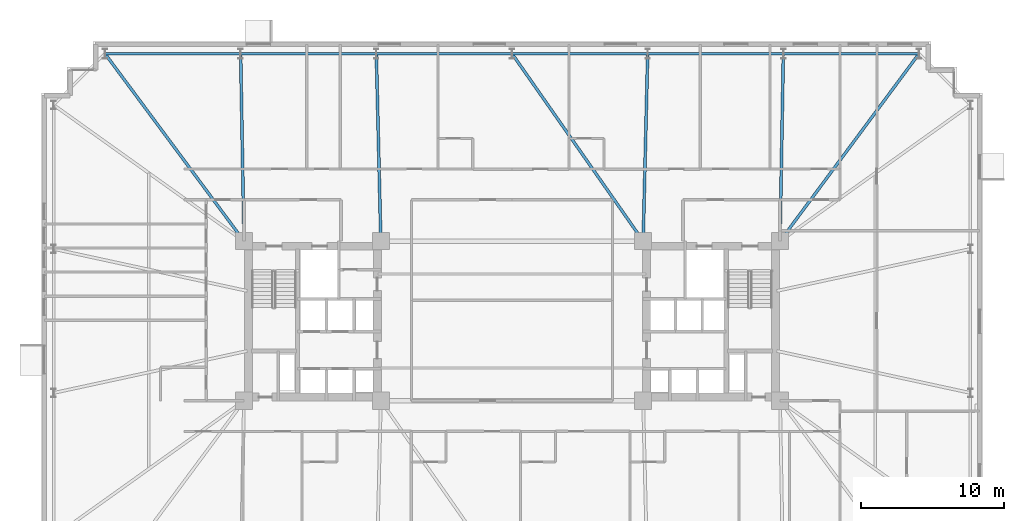
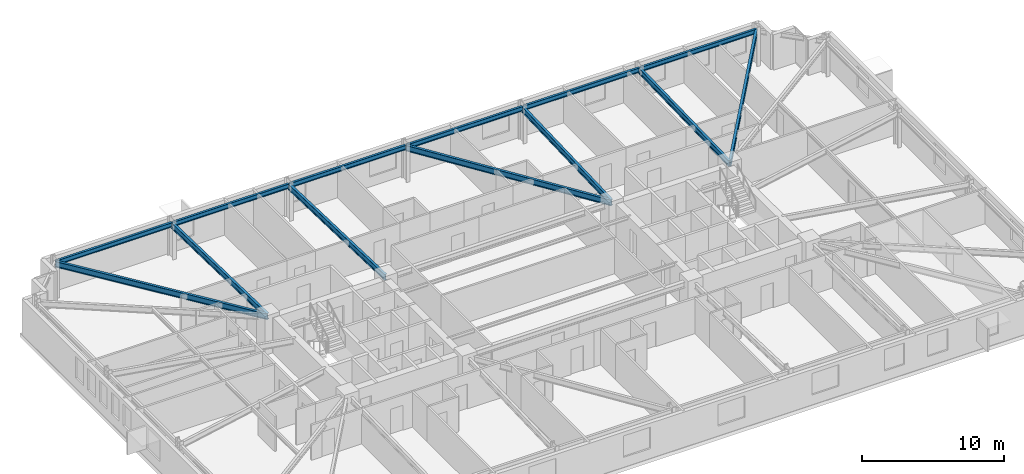
# One storey, part 9 of 21: 13 beams.
"""IFC4 building model written with IfcOpenShell, lengths in metres."""

from ifc_helpers import new_model, si_unit, direction, frame, origin, origin_2d, place, context, subcontext, project, spatial, i_section, extrude, material, material_profile, profile_set, type_object, element, save


model = new_model("IFC4")

# Units and contexts
model_context = context("Model", 3, precision=1e-05, world=origin(), true_north=direction((0.0, 1.0)))
body_context = subcontext(model_context, "Body", "Model", "MODEL_VIEW")
ifc_project = project(units=[si_unit("LENGTHUNIT", "METRE"), si_unit("AREAUNIT", "SQUARE_METRE"), si_unit("VOLUMEUNIT", "CUBIC_METRE"), si_unit("PLANEANGLEUNIT", "RADIAN"), si_unit("MASSUNIT", "GRAM", prefix="KILO")], contexts=[model_context])

# Site, building, storey
site_placement = place(None, origin())
site = spatial("IfcSite", under=ifc_project, at=site_placement, CompositionType="ELEMENT")
building_placement = place(site_placement, origin())
building = spatial("IfcBuilding", under=site, at=building_placement, Name="Qobustan Lattice House", CompositionType="ELEMENT")
storey_placement = place(building_placement, frame((0.0, 0.0, 40.39990234375)))
storey = spatial("IfcBuildingStorey", under=building, at=storey_placement, Name="L10", CompositionType="ELEMENT", Elevation=40.39990234375)

# Beams
ifc_material_1 = material(Name="Steel S355", Category="steel")
ifc_material_profile_1 = material_profile(ifc_material_1, i_section(OverallWidth=0.199951171875, OverallDepth=0.5, WebThickness=0.01025390625, FlangeThickness=0.01611328125, FilletRadius=0.02099609375, at=origin_2d()), Name="IPE500")
ifc_profile_set_1 = profile_set([ifc_material_profile_1], Name="Steel S355")
beam_type_1 = type_object("IfcBeamType", Name="BM-FLG-IPE500", PredefinedType="USERDEFINED", material=ifc_profile_set_1)
beam_1_placement = place(storey_placement, frame((-28.53515625, 18.72998046875, 2.78515625), z_axis=(0.5955916815, -0.803287338956, 0.0), x_axis=(0.803287338956, 0.5955916815, 0.0)))
element("IfcBeam", 1, at=beam_1_placement, inside=storey, type_object=beam_type_1, Name="L10 primary floor girder RAD-N7W", ObjectType="GIRDER", PredefinedType="USERDEFINED", context=body_context, shape_type="SweptSolid", body=[
    extrude(i_section(OverallWidth=0.199951171875, OverallDepth=0.5, WebThickness=0.01025390625, FlangeThickness=0.01611328125, FilletRadius=0.02099609375, at=origin_2d()), origin(), (0.0, 0.0, 1.0), 16.3203125),
])
beam_2_placement = place(storey_placement, frame((-19.032958984375, 18.72509765625, 2.78515625), z_axis=(0.017757831607, -0.999842317276, 0.0), x_axis=(0.999842317276, 0.017757831607, 0.0)))
element("IfcBeam", 2, at=beam_2_placement, inside=storey, type_object=beam_type_1, Name="L10 primary floor girder RAD-N6", ObjectType="GIRDER", PredefinedType="USERDEFINED", context=body_context, shape_type="SweptSolid", body=[
    extrude(i_section(OverallWidth=0.199951171875, OverallDepth=0.5, WebThickness=0.01025390625, FlangeThickness=0.01611328125, FilletRadius=0.02099609375, at=origin_2d()), origin(), (0.0, 0.0, 1.0), 13.10205078125),
])
beam_3_placement = place(storey_placement, frame((-9.51611328125, 18.72509765625, 2.78515625), z_axis=(0.024071445657, -0.999710240772, 0.0), x_axis=(0.999710240772, 0.024071445657, 0.0)))
element("IfcBeam", 3, at=beam_3_placement, inside=storey, type_object=beam_type_1, Name="L10 primary floor girder RAD-N5", ObjectType="GIRDER", PredefinedType="USERDEFINED", context=body_context, shape_type="SweptSolid", body=[
    extrude(i_section(OverallWidth=0.199951171875, OverallDepth=0.5, WebThickness=0.01025390625, FlangeThickness=0.01611328125, FilletRadius=0.02099609375, at=origin_2d()), origin(), (0.0, 0.0, 1.0), 13.10400390625),
])
beam_4_placement = place(storey_placement, frame((0.014404296875, 18.7294921875, 2.78515625), z_axis=(0.57325954206, -0.819373844736, 0.0), x_axis=(0.819373844736, 0.57325954206, 0.0)))
element("IfcBeam", 4, at=beam_4_placement, inside=storey, type_object=beam_type_1, Name="L10 primary floor girder RAD-N4", ObjectType="GIRDER", PredefinedType="USERDEFINED", context=body_context, shape_type="SweptSolid", body=[
    extrude(i_section(OverallWidth=0.199951171875, OverallDepth=0.5, WebThickness=0.01025390625, FlangeThickness=0.01611328125, FilletRadius=0.02099609375, at=origin_2d()), origin(), (0.0, 0.0, 1.0), 15.998779296875),
])
beam_5_placement = place(storey_placement, frame((9.51611328125, 18.72509765625, 2.78515625), z_axis=(-0.024071445657, -0.999710240772, 0.0), x_axis=(0.999710240772, -0.024071445657, 0.0)))
element("IfcBeam", 5, at=beam_5_placement, inside=storey, type_object=beam_type_1, Name="L10 primary floor girder RAD-N3", ObjectType="GIRDER", PredefinedType="USERDEFINED", context=body_context, shape_type="SweptSolid", body=[
    extrude(i_section(OverallWidth=0.199951171875, OverallDepth=0.5, WebThickness=0.01025390625, FlangeThickness=0.01611328125, FilletRadius=0.02099609375, at=origin_2d()), origin(), (0.0, 0.0, 1.0), 13.10400390625),
])
beam_6_placement = place(storey_placement, frame((19.032958984375, 18.72509765625, 2.78515625), z_axis=(-0.017757831607, -0.999842317276, 0.0), x_axis=(0.999842317276, -0.017757831607, 0.0)))
element("IfcBeam", 6, at=beam_6_placement, inside=storey, type_object=beam_type_1, Name="L10 primary floor girder RAD-N2", ObjectType="GIRDER", PredefinedType="USERDEFINED", context=body_context, shape_type="SweptSolid", body=[
    extrude(i_section(OverallWidth=0.199951171875, OverallDepth=0.5, WebThickness=0.01025390625, FlangeThickness=0.01611328125, FilletRadius=0.02099609375, at=origin_2d()), origin(), (0.0, 0.0, 1.0), 13.10205078125),
])
beam_7_placement = place(storey_placement, frame((28.53515625, 18.72998046875, 2.78515625), z_axis=(-0.5955916815, -0.803287338956, 0.0), x_axis=(0.803287338956, -0.5955916815, 0.0)))
element("IfcBeam", 7, at=beam_7_placement, inside=storey, type_object=beam_type_1, Name="L10 primary floor girder RAD-N1E", ObjectType="GIRDER", PredefinedType="USERDEFINED", context=body_context, shape_type="SweptSolid", body=[
    extrude(i_section(OverallWidth=0.199951171875, OverallDepth=0.5, WebThickness=0.01025390625, FlangeThickness=0.01611328125, FilletRadius=0.02099609375, at=origin_2d()), origin(), (0.0, 0.0, 1.0), 16.3203125),
])
ifc_material_2 = material(Name="Steel S355", Category="steel")
ifc_material_profile_2 = material_profile(ifc_material_2, i_section(OverallWidth=0.179931640625, OverallDepth=0.39990234375, WebThickness=0.008544921875, FlangeThickness=0.013427734375, FilletRadius=0.02099609375, at=origin_2d()), Name="IPE400")
ifc_profile_set_2 = profile_set([ifc_material_profile_2], Name="Steel S355")
beam_type_2 = type_object("IfcBeamType", Name="BM-SPD-IPE400", PredefinedType="SPANDREL", material=ifc_profile_set_2)
for number, where, z_axis, x_axis, name in (
    (8, (28.52490234375, 18.75, 2.835205078125), (-1.0, 0.0, 0.0), (0.0, -1.0, 0.0), "L10 perimeter spandrel N1-N2"),
    (9, (19.00830078125, 18.75, 2.835205078125), (-1.0, 0.0, 0.0), (0.0, -1.0, 0.0), "L10 perimeter spandrel N2-N3"),
):
    element("IfcBeam", number, at=place(storey_placement, frame(where, z_axis=z_axis, x_axis=x_axis)), inside=storey, type_object=beam_type_2, Name=name, PredefinedType="SPANDREL", context=body_context, shape_type="SweptSolid", body=[
        extrude(i_section(OverallWidth=0.179931640625, OverallDepth=0.39990234375, WebThickness=0.008544921875, FlangeThickness=0.013427734375, FilletRadius=0.02099609375, at=origin_2d()), origin(), (0.0, 0.0, 1.0), 9.466552734375),
    ])
for number, where, z_axis, x_axis, name in (
    (10, (9.49169921875, 18.75, 2.835205078125), (-1.0, 0.0, 0.0), (0.0, -1.0, 0.0), "L10 perimeter spandrel N3-N4"),
    (11, (-0.02490234375, 18.75, 2.835205078125), (-1.0, 0.0, 0.0), (0.0, -1.0, 0.0), "L10 perimeter spandrel N4-N5"),
):
    element("IfcBeam", number, at=place(storey_placement, frame(where, z_axis=z_axis, x_axis=x_axis)), inside=storey, type_object=beam_type_2, Name=name, PredefinedType="SPANDREL", context=body_context, shape_type="SweptSolid", body=[
        extrude(i_section(OverallWidth=0.179931640625, OverallDepth=0.39990234375, WebThickness=0.008544921875, FlangeThickness=0.013427734375, FilletRadius=0.02099609375, at=origin_2d()), origin(), (0.0, 0.0, 1.0), 9.466796875),
    ])
for number, where, z_axis, x_axis, name in (
    (12, (-9.541748046875, 18.75, 2.835205078125), (-1.0, 0.0, 0.0), (0.0, -1.0, 0.0), "L10 perimeter spandrel N5-N6"),
    (13, (-19.058349609375, 18.75, 2.835205078125), (-1.0, 0.0, 0.0), (0.0, -1.0, 0.0), "L10 perimeter spandrel N6-N7"),
):
    element("IfcBeam", number, at=place(storey_placement, frame(where, z_axis=z_axis, x_axis=x_axis)), inside=storey, type_object=beam_type_2, Name=name, PredefinedType="SPANDREL", context=body_context, shape_type="SweptSolid", body=[
        extrude(i_section(OverallWidth=0.179931640625, OverallDepth=0.39990234375, WebThickness=0.008544921875, FlangeThickness=0.013427734375, FilletRadius=0.02099609375, at=origin_2d()), origin(), (0.0, 0.0, 1.0), 9.466552734375),
    ])

save(model, "model.ifc")
